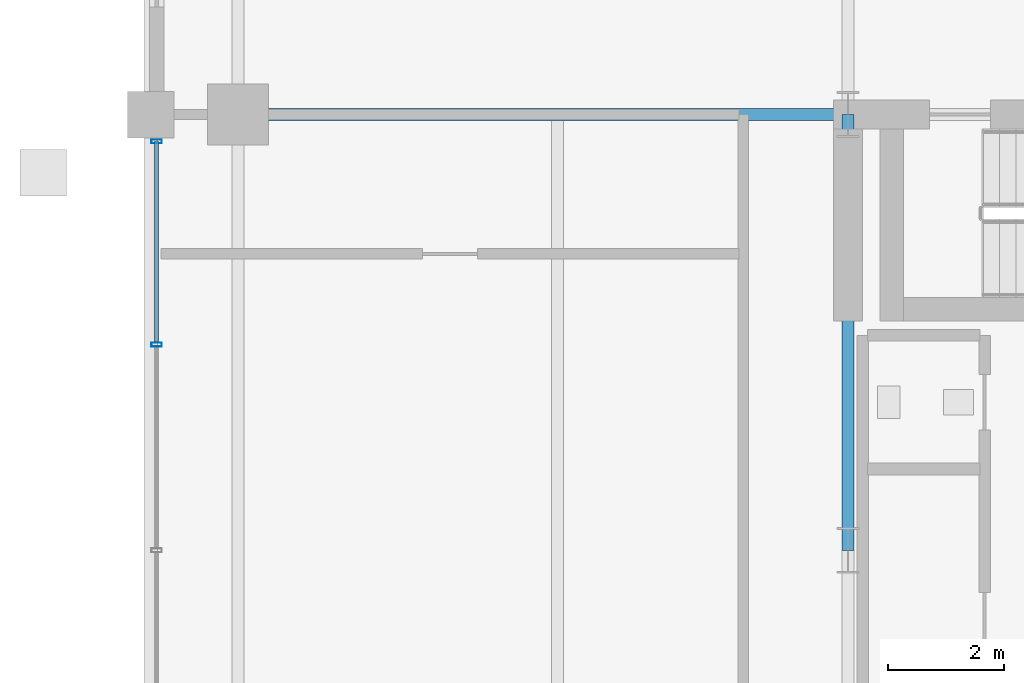
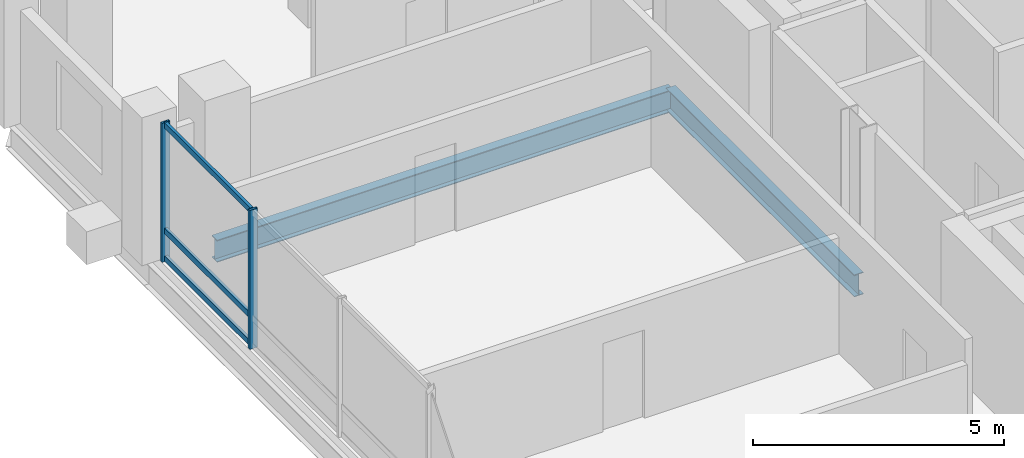
# One storey, part 8 of 24: 5 members, 2 beams, 1 element without a shape of its own.
"""IFC4 building model written with IfcOpenShell, lengths in metres."""

import ifcopenshell
import ifcopenshell.guid

model = None  # the IFC model being written
_history = None  # IfcOwnerHistory: only IFC2X3 demands one
_inside = {}  # id of a spatial element -> (the spatial element, [elements in it])
_under = {}  # id of a project, library or spatial element -> (it, [spatial elements below it])
_declared = {}  # id of a project -> (the project, [libraries it declares])
_typed = {}  # id of a type object -> (the type object, [elements of that type])
_made_of = {}  # id of a material, layer set ... -> (it, [elements and type objects made of it])


def new_model(schema):
    """Start an empty IFC model of exactly this schema.

    Asked for "IFC4X3", IfcOpenShell would pick the latest addendum, in which some entities
    have other attributes; the version numbers below select the first issue.
    IFC2X3 requires an IfcOwnerHistory on every rooted entity: one is made here for all.
    """
    global model, _history
    if schema == "IFC4X3":
        model = ifcopenshell.file(schema_version=(4, 3, 0, 0))
    else:
        model = ifcopenshell.file(schema=schema)
    _inside.clear()
    _under.clear()
    _declared.clear()
    _typed.clear()
    _made_of.clear()
    _history = None
    if model.schema == "IFC2X3":
        org = make("IfcOrganization", Name="unknown")
        user = make(
            "IfcPersonAndOrganization",
            ThePerson=make("IfcPerson", FamilyName="unknown"),
            TheOrganization=org,
        )
        app = make(
            "IfcApplication",
            ApplicationDeveloper=org,
            Version="unknown",
            ApplicationFullName="unknown",
            ApplicationIdentifier="unknown",
        )
        _history = make(
            "IfcOwnerHistory",
            OwningUser=user,
            OwningApplication=app,
            ChangeAction="ADDED",
            CreationDate=0,
        )
    return model


def make(cls, **values):
    """One entity of the class cls with the attributes given. An attribute that is None is left unset."""
    return model.create_entity(
        cls, **{name: value for name, value in values.items() if value is not None}
    )


def rooted(cls, **values):
    """An entity with a GlobalId (a new one), such as an element, a storey or a relation."""
    return make(cls, GlobalId=ifcopenshell.guid.new(), OwnerHistory=_history, **values)


def si_unit(unit_type, name, prefix=None):
    """IfcSIUnit, for example si_unit("LENGTHUNIT", "METRE", prefix="MILLI")."""
    return make("IfcSIUnit", UnitType=unit_type, Prefix=prefix, Name=name)


def assignment(units):
    """IfcUnitAssignment: the units of a project."""
    return None if units is None else make("IfcUnitAssignment", Units=units)


def point(xyz):
    """IfcCartesianPoint."""
    return None if xyz is None else make("IfcCartesianPoint", Coordinates=xyz)


def direction(xyz):
    """IfcDirection."""
    return None if xyz is None else make("IfcDirection", DirectionRatios=xyz)


def frame(location, z_axis=None, x_axis=None):
    """IfcAxis2Placement3D, a coordinate frame: its origin and axes. An axis left out is left unset."""
    return make(
        "IfcAxis2Placement3D",
        Location=point(location),
        Axis=direction(z_axis),
        RefDirection=direction(x_axis),
    )


def frame_2d(location, x_axis=None):
    """IfcAxis2Placement2D, a coordinate frame in the plane: its origin and x axis."""
    return make(
        "IfcAxis2Placement2D", Location=point(location), RefDirection=direction(x_axis)
    )


def origin():
    """The frame at (0, 0, 0) with its axes left unset."""
    return frame((0.0, 0.0, 0.0))


def origin_2d():
    """The frame at (0, 0) in the plane with its x axis left unset."""
    return frame_2d((0.0, 0.0))


def place(relative_to, where):
    """IfcLocalPlacement: puts the frame where relative to a parent placement (None: the world)."""
    return make(
        "IfcLocalPlacement", PlacementRelTo=relative_to, RelativePlacement=where
    )


def context(
    kind, dimensions, precision=None, world=None, true_north=None, identifier=None
):
    """IfcGeometricRepresentationContext, for example the 3D "Model" context."""
    return make(
        "IfcGeometricRepresentationContext",
        ContextIdentifier=identifier,
        ContextType=kind,
        CoordinateSpaceDimension=dimensions,
        Precision=precision,
        WorldCoordinateSystem=world,
        TrueNorth=true_north,
    )


def subcontext(parent, identifier, kind, view, scale=None):
    """IfcGeometricRepresentationSubContext, for example "Body" below "Model"."""
    return make(
        "IfcGeometricRepresentationSubContext",
        ContextIdentifier=identifier,
        ContextType=kind,
        ParentContext=parent,
        TargetScale=scale,
        TargetView=view,
    )


def project(units=None, contexts=None):
    """IfcProject with its units and contexts."""
    return rooted(
        "IfcProject",
        Name="project",
        RepresentationContexts=contexts,
        UnitsInContext=assignment(units),
    )


def spatial(cls, under=None, at=None, **own):
    """A site, building, storey or space (cls), placed at a placement, below another one or the project."""
    s = rooted(cls, ObjectPlacement=at, **own)
    if under is not None:
        _under.setdefault(under.id(), (under, []))[1].append(s)
    return s


def profile(cls, at=None, kind="AREA", **sizes):
    """A parametric profile (cls). Its sizes go by their IFC names, for example OverallWidth=200.0."""
    return make(cls, ProfileType=kind, Position=at, **sizes)


def hollow_rectangle(**sizes):
    """IfcRectangleHollowProfileDef."""
    return profile("IfcRectangleHollowProfileDef", **sizes)


def i_section(**sizes):
    """IfcIShapeProfileDef."""
    return profile("IfcIShapeProfileDef", **sizes)


def extrude(swept, where, along, depth):
    """IfcExtrudedAreaSolid: the profile swept, set in the frame where, extruded along a direction by depth."""
    return make(
        "IfcExtrudedAreaSolid",
        SweptArea=swept,
        Position=where,
        ExtrudedDirection=direction(along),
        Depth=depth,
    )


def shape(context_of_items, identifier, shape_type, items):
    """IfcShapeRepresentation: the items that make up one representation, for example the "Body"."""
    return make(
        "IfcShapeRepresentation",
        ContextOfItems=context_of_items,
        RepresentationIdentifier=identifier,
        RepresentationType=shape_type,
        Items=items,
    )


def material(Name=None, Category=None):
    """IfcMaterial."""
    return make("IfcMaterial", Name=Name, Category=Category)


def layer(
    of_material, thickness, ventilated=None, Name=None, Category=None, Priority=None
):
    """IfcMaterialLayer: one layer of a wall or slab, of a material (None: an air gap)."""
    return make(
        "IfcMaterialLayer",
        Material=of_material,
        LayerThickness=thickness,
        IsVentilated=ventilated,
        Name=Name,
        Category=Category,
        Priority=Priority,
    )


def layer_set(layers, Name=None):
    """IfcMaterialLayerSet."""
    return make("IfcMaterialLayerSet", MaterialLayers=layers, LayerSetName=Name)


def material_profile(
    of_material, cross_section, Name=None, Category=None, Priority=None
):
    """IfcMaterialProfile: a cross section and its material."""
    return make(
        "IfcMaterialProfile",
        Name=Name,
        Material=of_material,
        Profile=cross_section,
        Priority=Priority,
        Category=Category,
    )


def profile_set(profiles, Name=None, composite=None):
    """IfcMaterialProfileSet."""
    return make(
        "IfcMaterialProfileSet",
        Name=Name,
        MaterialProfiles=profiles,
        CompositeProfile=composite,
    )


def made_of(thing, what):
    """Note that an element or type object is made of a material, layer set ...; save() writes the relation."""
    if what is not None:
        _made_of.setdefault(what.id(), (what, []))[1].append(thing)
    return thing


def type_object(cls, material=None, **own):
    """A type object (cls), such as IfcWallType, which elements share."""
    return made_of(rooted(cls, **own), material)


def element(
    cls,
    number,
    at=None,
    inside=None,
    cuts=None,
    type_object=None,
    material=None,
    context=None,
    identifier="Body",
    shape_type=None,
    held_by="IfcProductDefinitionShape",
    body=None,
    shapes=None,
    **own,
):
    """One element of the class cls, such as IfcWall. Its Tag is "e" and its number.

    at: its placement. inside: the storey or other place that contains it. cuts: it is an
    opening in that element (IfcRelVoidsElement). A single representation is given by context,
    identifier, shape_type and body (its items); several are given by shapes. held_by: the class
    of the entity that holds the representations. save() writes the other relations.
    """
    e = rooted(cls, Tag="e%d" % number, ObjectPlacement=at, **own)
    if body is not None:
        shapes = [shape(context, identifier, shape_type, body)]
    if shapes is not None:
        e.Representation = make(held_by, Representations=shapes)
    if inside is not None:
        _inside.setdefault(inside.id(), (inside, []))[1].append(e)
    if cuts is not None:
        rooted(
            "IfcRelVoidsElement", RelatingBuildingElement=cuts, RelatedOpeningElement=e
        )
    if type_object is not None:
        _typed.setdefault(type_object.id(), (type_object, []))[1].append(e)
    return made_of(e, material)


def aggregate(whole, parts):
    """IfcRelAggregates: a whole, such as a stair, and the parts it consists of."""
    return rooted("IfcRelAggregates", RelatingObject=whole, RelatedObjects=parts)


def save(model, path):
    """Write the relations noted so far, then the file.

    IfcRelAggregates (storeys below a building ...), IfcRelContainedInSpatialStructure (elements
    in a storey), IfcRelDefinesByType, IfcRelAssociatesMaterial and IfcRelDeclares: one each for
    every whole, place, type object, material and project.
    """
    for whole, parts in _under.values():
        aggregate(whole, parts)
    for where, things in _inside.values():
        rooted(
            "IfcRelContainedInSpatialStructure",
            RelatedElements=things,
            RelatingStructure=where,
        )
    for kind, things in _typed.values():
        rooted("IfcRelDefinesByType", RelatedObjects=things, RelatingType=kind)
    for what, things in _made_of.values():
        rooted("IfcRelAssociatesMaterial", RelatedObjects=things, RelatingMaterial=what)
    for by, libraries in _declared.values():
        rooted("IfcRelDeclares", RelatingContext=by, RelatedDefinitions=libraries)
    model.write(path)


model = new_model("IFC4")

# Units and contexts
model_context = context("Model", 3, precision=1e-05, world=origin(), true_north=direction((0.0, 1.0)))
body_context = subcontext(model_context, "Body", "Model", "MODEL_VIEW")
ifc_project = project(units=[si_unit("LENGTHUNIT", "METRE"), si_unit("AREAUNIT", "SQUARE_METRE"), si_unit("VOLUMEUNIT", "CUBIC_METRE"), si_unit("PLANEANGLEUNIT", "RADIAN"), si_unit("MASSUNIT", "GRAM", prefix="KILO")], contexts=[model_context])

# Site, building, storey
site_placement = place(None, origin())
site = spatial("IfcSite", under=ifc_project, at=site_placement, CompositionType="ELEMENT")
building_placement = place(site_placement, origin())
building = spatial("IfcBuilding", under=site, at=building_placement, Name="Barlavira Tower and Art Museum", CompositionType="ELEMENT")
storey_placement = place(building_placement, frame((0.0, 0.0, 180.0)))
storey = spatial("IfcBuildingStorey", under=building, at=storey_placement, Name="L46", CompositionType="ELEMENT", Elevation=180.0)

# Curtain wall, members
ifc_material_1 = material(Name="Low-iron coastal laminated glass", Category="glass")
ifc_layer = layer(ifc_material_1, 0.199951171875, Name="Low-iron coastal laminated glass")
ifc_layer_set = layer_set([ifc_layer], Name="Low-iron coastal laminated glass")
curtain_wall_type = type_object("IfcCurtainWallType", Name="Pale-Metal Unitised Curtain Wall Zone 3", PredefinedType="NOTDEFINED", material=ifc_layer_set)
curtain_wall_placement = place(storey_placement, origin())
curtain_wall = element("IfcCurtainWall", 1, at=curtain_wall_placement, inside=storey, type_object=curtain_wall_type, Name="L46 Curtain Wall CW3-L46-W-B3", PredefinedType="NOTDEFINED")
ifc_material_2 = material(Name="Pale anodised aluminium", Category="aluminium")
ifc_material_profile_1 = material_profile(ifc_material_2, hollow_rectangle(XDim=0.06494140625, YDim=0.179931640625, WallThickness=0.00390625, at=origin_2d()), Name="ALU-MULL 65x180x4")
ifc_profile_set_1 = profile_set([ifc_material_profile_1], Name="Pale anodised aluminium")
member_type_1 = type_object("IfcMemberType", Name="Curtain Wall Pale-Metal Mullion 65x180", PredefinedType="MULLION", material=ifc_profile_set_1)
member_1_placement = place(storey_placement, frame((-18.39990234375, 7.034912109375, 0.0), z_axis=(0.0, 0.0, 1.0), x_axis=(0.0, -1.0, 0.0)))
member_1 = element("IfcMember", 2, at=member_1_placement, type_object=member_type_1, Name="CW3-L46-W-B3 Mullion 0", PredefinedType="MULLION", context=body_context, shape_type="SweptSolid", body=[
    extrude(hollow_rectangle(XDim=0.06494140625, YDim=0.179931640625, WallThickness=0.00390625, at=origin_2d()), origin(), (0.0, 0.0, 1.0), 3.3798828125),
])
member_2_placement = place(storey_placement, frame((-18.39990234375, 3.5400390625, 0.0), z_axis=(0.0, 0.0, 1.0), x_axis=(0.0, -1.0, 0.0)))
member_2 = element("IfcMember", 3, at=member_2_placement, type_object=member_type_1, Name="CW3-L46-W-B3 Mullion 1", PredefinedType="MULLION", context=body_context, shape_type="SweptSolid", body=[
    extrude(hollow_rectangle(XDim=0.06494140625, YDim=0.179931640625, WallThickness=0.00390625, at=origin_2d()), origin(), (0.0, 0.0, 1.0), 3.3798828125),
])
ifc_material_profile_2 = material_profile(ifc_material_2, hollow_rectangle(XDim=0.06494140625, YDim=0.139892578125, WallThickness=0.00390625, at=origin_2d()), Name="ALU-TRAN 65x140x4")
ifc_profile_set_2 = profile_set([ifc_material_profile_2], Name="Pale anodised aluminium")
member_type_2 = type_object("IfcMemberType", Name="Curtain Wall Pale-Metal Transom 65x140", PredefinedType="USERDEFINED", material=ifc_profile_set_2)
member_3_placement = place(storey_placement, frame((-18.39990234375, 7.034912109375, 0.070068359375), z_axis=(0.0, -1.0, 0.0), x_axis=(1.0, 0.0, 0.0)))
member_3 = element("IfcMember", 4, at=member_3_placement, type_object=member_type_2, Name="CW3-L46-W-B3 Transom 0.1", ObjectType="TRANSOM", PredefinedType="USERDEFINED", context=body_context, shape_type="SweptSolid", body=[
    extrude(hollow_rectangle(XDim=0.06494140625, YDim=0.139892578125, WallThickness=0.00390625, at=origin_2d()), origin(), (0.0, 0.0, 1.0), 3.449951171875),
])
member_4_placement = place(storey_placement, frame((-18.39990234375, 7.034912109375, 0.743896484375), z_axis=(0.0, -1.0, 0.0), x_axis=(1.0, 0.0, 0.0)))
member_4 = element("IfcMember", 5, at=member_4_placement, type_object=member_type_2, Name="CW3-L46-W-B3 Transom 0.2", ObjectType="TRANSOM", PredefinedType="USERDEFINED", context=body_context, shape_type="SweptSolid", body=[
    extrude(hollow_rectangle(XDim=0.06494140625, YDim=0.139892578125, WallThickness=0.00390625, at=origin_2d()), origin(), (0.0, 0.0, 1.0), 3.449951171875),
])
member_5_placement = place(storey_placement, frame((-18.39990234375, 7.034912109375, 3.31005859375), z_axis=(0.0, -1.0, 0.0), x_axis=(1.0, 0.0, 0.0)))
member_5 = element("IfcMember", 6, at=member_5_placement, type_object=member_type_2, Name="CW3-L46-W-B3 Transom 0.3", ObjectType="TRANSOM", PredefinedType="USERDEFINED", context=body_context, shape_type="SweptSolid", body=[
    extrude(hollow_rectangle(XDim=0.06494140625, YDim=0.139892578125, WallThickness=0.00390625, at=origin_2d()), origin(), (0.0, 0.0, 1.0), 3.449951171875),
])
aggregate(curtain_wall, [member_1, member_2, member_3, member_4, member_5])

# Beams
ifc_material_3 = material(Name="Steel S355", Category="steel")
ifc_material_profile_3 = material_profile(ifc_material_3, i_section(OverallWidth=0.2109375, OverallDepth=0.5390625, WebThickness=0.01171875, FlangeThickness=0.018798828125, at=origin_2d()), Name="W530x109.0")
ifc_profile_set_3 = profile_set([ifc_material_profile_3], Name="Steel S355")
beam_type = type_object("IfcBeamType", Name="Zone 3-4 Primary Floor Girder W530x109 Steel S355", PredefinedType="BEAM", material=ifc_profile_set_3)
beam_1_placement = place(storey_placement, frame((-6.5, 0.0, -0.489501953125), z_axis=(0.0, 1.0, 0.0), x_axis=(-1.0, 0.0, 0.0)))
element("IfcBeam", 7, at=beam_1_placement, inside=storey, type_object=beam_type, Name="L46 Girder C-W2", PredefinedType="BEAM", context=body_context, shape_type="SweptSolid", body=[
    extrude(i_section(OverallWidth=0.2109375, OverallDepth=0.5390625, WebThickness=0.01171875, FlangeThickness=0.018798828125, at=origin_2d()), origin(), (0.0, 0.0, 1.0), 7.5),
])
beam_2_placement = place(storey_placement, frame((-17.0, 7.5, -0.489501953125), z_axis=(1.0, 0.0, 0.0), x_axis=(0.0, 1.0, 0.0)))
element("IfcBeam", 8, at=beam_2_placement, inside=storey, type_object=beam_type, Name="L46 Girder R-W2", PredefinedType="BEAM", context=body_context, shape_type="SweptSolid", body=[
    extrude(i_section(OverallWidth=0.2109375, OverallDepth=0.5390625, WebThickness=0.01171875, FlangeThickness=0.018798828125, at=origin_2d()), origin(), (0.0, 0.0, 1.0), 10.5),
])

save(model, "model.ifc")
